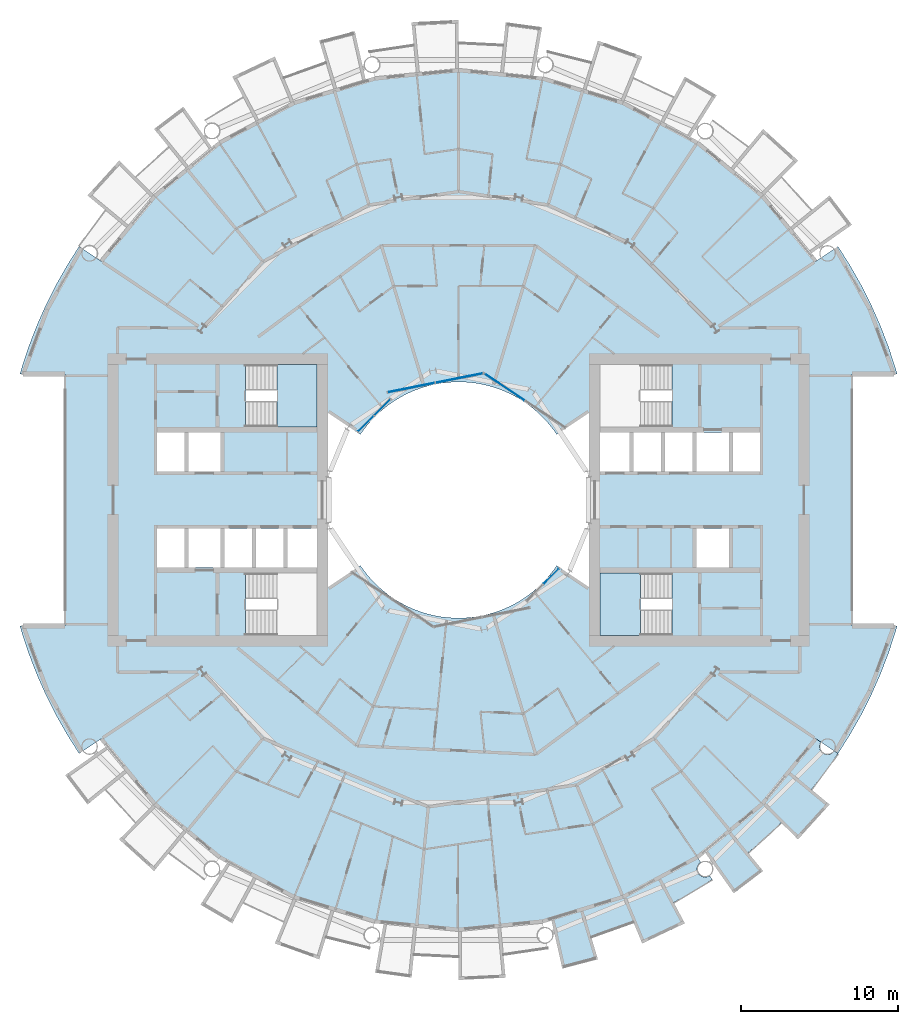
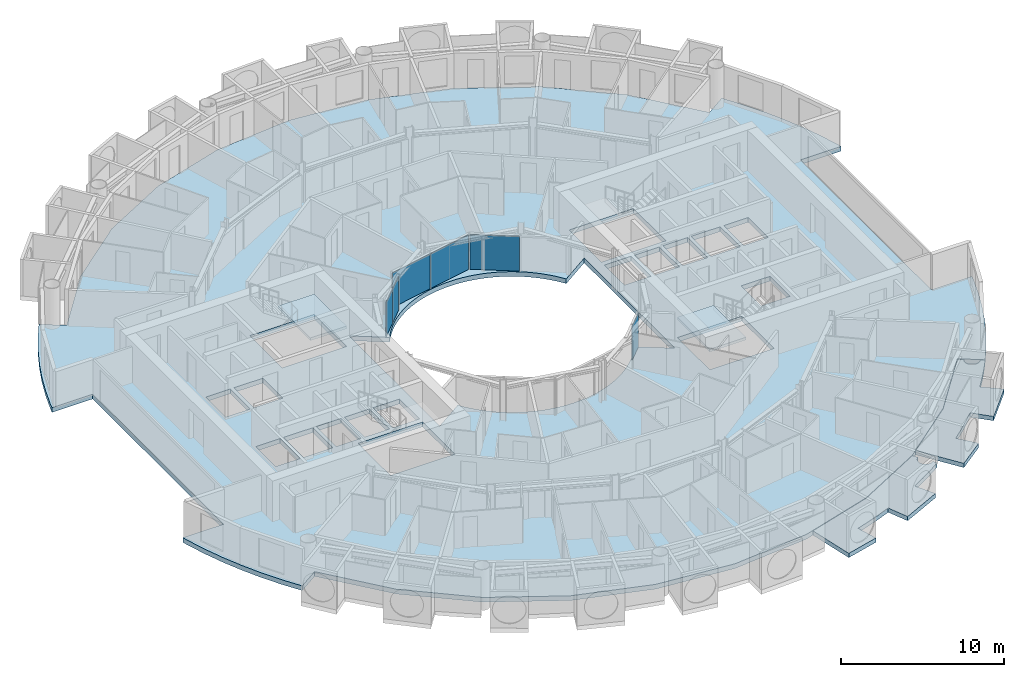
# One storey, part 10 of 26: 6 plates, 5 slabs, 6 elements without a shape of their own.
"""IFC4 building model written with IfcOpenShell, lengths in metres."""

from ifc_helpers import new_model, si_unit, direction, frame, origin, origin_2d, place, context, subcontext, project, spatial, polyline, rectangle, outline, extrude, material, layer, layer_set, type_object, element, aggregate, save


model = new_model("IFC4")

# Units and contexts
model_context = context("Model", 3, precision=1e-05, world=origin(), true_north=direction((0.0, 1.0)))
body_context = subcontext(model_context, "Body", "Model", "MODEL_VIEW")
ifc_project = project(units=[si_unit("LENGTHUNIT", "METRE"), si_unit("AREAUNIT", "SQUARE_METRE"), si_unit("VOLUMEUNIT", "CUBIC_METRE"), si_unit("PLANEANGLEUNIT", "RADIAN"), si_unit("MASSUNIT", "GRAM", prefix="KILO")], contexts=[model_context])

# Site, building, storey
site_placement = place(None, origin())
site = spatial("IfcSite", under=ifc_project, at=site_placement, CompositionType="ELEMENT")
building_placement = place(site_placement, origin())
building = spatial("IfcBuilding", under=site, at=building_placement, Name="Maasbend Ring Residences", CompositionType="ELEMENT")
storey_placement = place(building_placement, frame((0.0, 0.0, 75.800048828125)))
storey = spatial("IfcBuildingStorey", under=building, at=storey_placement, Name="L21", CompositionType="ELEMENT", Elevation=75.800048828125)

# Stair, slab
ifc_material_1 = material(Name="Concrete C40/50", Category="concrete")
stair_type = type_object("IfcStairType", Name="CORE STAIR 18 RISERS", PredefinedType="HALF_TURN_STAIR", material=ifc_material_1)
stair_1_placement = place(storey_placement, origin())
stair_1 = element("IfcStair", 1, at=stair_1_placement, inside=storey, type_object=stair_type, Name="L21 Exit stair ST-E2", PredefinedType="HALF_TURN_STAIR")
ifc_material_2 = material(Name="Concrete C40/50", Category="concrete")
ifc_layer_1 = layer(ifc_material_2, 0.199951171875)
ifc_layer_set_1 = layer_set([ifc_layer_1], Name="Concrete C40/50")
slab_type_1 = type_object("IfcSlabType", Name="CORE STAIR LANDING 200", PredefinedType="LANDING", material=ifc_layer_set_1)
slab_1_placement = place(storey_placement, frame((0.0, 0.0, 1.324951171875)))
slab_1 = element("IfcSlab", 2, at=slab_1_placement, type_object=slab_type_1, Name="ST-E2 landing 1", PredefinedType="LANDING", context=body_context, shape_type="SweptSolid", body=[
    extrude(outline(polyline([(11.550048828125, -4.64990234375), (9.0, -4.64990234375), (9.0, -8.60009765625), (11.550048828125, -8.60009765625), (11.550048828125, -4.64990234375)])), origin(), (0.0, 0.0, 1.0), 0.199951171875),
])
aggregate(stair_1, [slab_1])

stair_2_placement = place(storey_placement, origin())
stair_2 = element("IfcStair", 3, at=stair_2_placement, inside=storey, type_object=stair_type, Name="L21 Exit stair ST-W2", PredefinedType="HALF_TURN_STAIR")
slab_2_placement = place(storey_placement, frame((0.0, 0.0, 1.324951171875)))
slab_2 = element("IfcSlab", 4, at=slab_2_placement, type_object=slab_type_1, Name="ST-W2 landing 1", PredefinedType="LANDING", context=body_context, shape_type="SweptSolid", body=[
    extrude(outline(polyline([(-11.550048828125, 4.64990234375), (-9.0, 4.64990234375), (-9.0, 8.60009765625), (-11.550048828125, 8.60009765625), (-11.550048828125, 4.64990234375)])), origin(), (0.0, 0.0, 1.0), 0.199951171875),
])
aggregate(stair_2, [slab_2])

# Curtain wall, plate
ifc_material_3 = material(Name="Aluminium and clear glass", Category="aluminium")
ifc_layer_2 = layer(ifc_material_3, 0.179931640625)
ifc_layer_set_2 = layer_set([ifc_layer_2], Name="CW-W")
curtain_wall_type = type_object("IfcCurtainWallType", Name="CW-W", PredefinedType="NOTDEFINED", material=ifc_layer_set_2)
curtain_wall_1_placement = place(storey_placement, origin())
curtain_wall_1 = element("IfcCurtainWall", 5, at=curtain_wall_1_placement, inside=storey, type_object=curtain_wall_type, Name="Well curtain wall N1", PredefinedType="NOTDEFINED")
ifc_material_4 = material(Name="Glass clear laminated", Category="glass")
ifc_layer_3 = layer(ifc_material_4, 0.031982421875)
ifc_layer_set_3 = layer_set([ifc_layer_3], Name="CWP-W")
plate_type = type_object("IfcPlateType", Name="CWP-W", PredefinedType="CURTAIN_PANEL", material=ifc_layer_set_3)
plate_1_placement = place(storey_placement, frame((2.922119140625, 7.17578125, 0.0), z_axis=(0.0, 0.0, 1.0), x_axis=(-0.831469612303, 0.55557023302, 0.0)))
plate_1 = element("IfcPlate", 6, at=plate_1_placement, type_object=plate_type, Name="Glass panel well face", PredefinedType="CURTAIN_PANEL", context=body_context, shape_type="SweptSolid", body=[
    extrude(rectangle(XDim=3.053955078125, YDim=0.031982421875, at=origin_2d()), origin(), (0.0, 0.0, 1.0), 2.580078125),
])
aggregate(curtain_wall_1, [plate_1])

# Curtain wall, plates
curtain_wall_2_placement = place(storey_placement, origin())
curtain_wall_2 = element("IfcCurtainWall", 7, at=curtain_wall_2_placement, inside=storey, type_object=curtain_wall_type, Name="Well curtain wall N2", PredefinedType="NOTDEFINED")
plate_2_placement = place(storey_placement, frame((0.04638671875, 7.747802734375, 0.0), z_axis=(0.0, 0.0, 1.0), x_axis=(-0.980785280403, -0.195090322016, 0.0)))
plate_2 = element("IfcPlate", 8, at=plate_2_placement, type_object=plate_type, Name="Glass panel well face", PredefinedType="CURTAIN_PANEL", context=body_context, shape_type="SweptSolid", body=[
    extrude(rectangle(XDim=3.053955078125, YDim=0.031982421875, at=origin_2d()), origin(), (0.0, 0.0, 1.0), 2.580078125),
])
plate_3_placement = place(storey_placement, frame((-3.0078125, 7.140380859375, 0.0), z_axis=(0.0, 0.0, 1.0), x_axis=(-0.980785280403, -0.195090322016, 0.0)))
plate_3 = element("IfcPlate", 9, at=plate_3_placement, type_object=plate_type, Name="Glass panel well face", PredefinedType="CURTAIN_PANEL", context=body_context, shape_type="SweptSolid", body=[
    extrude(rectangle(XDim=3.053955078125, YDim=0.031982421875, at=origin_2d()), origin(), (0.0, 0.0, 1.0), 2.580078125),
])
aggregate(curtain_wall_2, [plate_2, plate_3])

curtain_wall_3_placement = place(storey_placement, origin())
curtain_wall_3 = element("IfcCurtainWall", 10, at=curtain_wall_3_placement, inside=storey, type_object=curtain_wall_type, Name="Well curtain wall N3", PredefinedType="NOTDEFINED")
plate_4_placement = place(storey_placement, frame((-4.84375, 5.89013671875, 0.0), z_axis=(0.0, 0.0, 1.0), x_axis=(-0.707106781187, -0.707106781187, 0.0)))
plate_4 = element("IfcPlate", 11, at=plate_4_placement, type_object=plate_type, Name="Glass panel well face", PredefinedType="CURTAIN_PANEL", context=body_context, shape_type="SweptSolid", body=[
    extrude(rectangle(XDim=1.419677734375, YDim=0.031982421875, at=origin_2d()), origin(), (0.0, 0.0, 1.0), 2.580078125),
])
plate_5_placement = place(storey_placement, frame((-5.89013671875, 4.84375, 0.0), z_axis=(0.0, 0.0, 1.0), x_axis=(-0.707106781187, -0.707106781187, 0.0)))
plate_5 = element("IfcPlate", 12, at=plate_5_placement, type_object=plate_type, Name="Glass panel well face", PredefinedType="CURTAIN_PANEL", context=body_context, shape_type="SweptSolid", body=[
    extrude(rectangle(XDim=1.419677734375, YDim=0.031982421875, at=origin_2d()), origin(), (0.0, 0.0, 1.0), 2.580078125),
])
aggregate(curtain_wall_3, [plate_4, plate_5])

# Curtain wall, plate
curtain_wall_4_placement = place(storey_placement, origin())
curtain_wall_4 = element("IfcCurtainWall", 13, at=curtain_wall_4_placement, inside=storey, type_object=curtain_wall_type, Name="Well curtain wall S3", PredefinedType="NOTDEFINED")
plate_6_placement = place(storey_placement, frame((5.89013671875, -4.84375, 0.0), z_axis=(0.0, 0.0, 1.0), x_axis=(0.707106781187, 0.707106781187, 0.0)))
plate_6 = element("IfcPlate", 14, at=plate_6_placement, type_object=plate_type, Name="Glass panel well face", PredefinedType="CURTAIN_PANEL", context=body_context, shape_type="SweptSolid", body=[
    extrude(rectangle(XDim=1.419677734375, YDim=0.031982421875, at=origin_2d()), origin(), (0.0, 0.0, 1.0), 2.580078125),
])
aggregate(curtain_wall_4, [plate_6])

# Slabs
ifc_material_5 = material(Name="Concrete C40/50", Category="concrete")
ifc_layer_4 = layer(ifc_material_5, 0.35009765625)
ifc_layer_set_4 = layer_set([ifc_layer_4], Name="Concrete C40/50")
slab_type_2 = type_object("IfcSlabType", Name="Post-tensioned flat plate 350", PredefinedType="FLOOR", material=ifc_layer_set_4)
slab_3_placement = place(storey_placement, frame((0.0, 0.0, -0.35009765625)))
element("IfcSlab", 15, at=slab_3_placement, inside=storey, type_object=slab_type_2, Name="Floor slab L21", PredefinedType="FLOOR", context=body_context, shape_type="SweptSolid", body=[
    extrude(outline(polyline([(24.8740234375, -14.908935546875), (25.57568359375, -13.67041015625), (26.2158203125, -12.399169921875), (26.79248046875, -11.097900390625), (27.3046875, -9.769775390625), (27.751220703125, -8.418212890625), (27.866943359375, -8.0), (25.0, -8.0), (25.0, 8.0), (27.866943359375, 8.0), (27.751220703125, 8.418212890625), (27.3046875, 9.769775390625), (26.79248046875, 11.097900390625), (26.2158203125, 12.399169921875), (25.57568359375, 13.67041015625), (24.8740234375, 14.908935546875), (24.112548828125, 16.111572265625), (22.69921875, 15.1669921875), (19.303955078125, 19.303955078125), (15.1669921875, 22.69921875), (10.447265625, 25.221923828125), (5.325927734375, 26.775390625), (0.0, 27.300048828125), (-5.325927734375, 26.775390625), (-10.447265625, 25.221923828125), (-15.1669921875, 22.69921875), (-19.303955078125, 19.303955078125), (-22.69921875, 15.1669921875), (-24.112548828125, 16.111572265625), (-24.8740234375, 14.908935546875), (-25.57568359375, 13.67041015625), (-26.2158203125, 12.399169921875), (-26.79248046875, 11.097900390625), (-27.3046875, 9.769775390625), (-27.751220703125, 8.418212890625), (-27.866943359375, 8.0), (-25.0, 8.0), (-25.0, -8.0), (-27.866943359375, -8.0), (-27.751220703125, -8.418212890625), (-27.3046875, -9.769775390625), (-26.79248046875, -11.097900390625), (-26.2158203125, -12.399169921875), (-25.57568359375, -13.67041015625), (-24.8740234375, -14.908935546875), (-24.112548828125, -16.111572265625), (-22.69921875, -15.1669921875), (-19.303955078125, -19.303955078125), (-15.1669921875, -22.69921875), (-10.447265625, -25.221923828125), (-5.325927734375, -26.775390625), (0.0, -27.300048828125), (5.325927734375, -26.775390625), (10.447265625, -25.221923828125), (15.1669921875, -22.69921875), (19.303955078125, -19.303955078125), (22.69921875, -15.1669921875), (24.112548828125, -16.111572265625), (24.8740234375, -14.908935546875)]), holes=[polyline([(17.425048828125, 4.27490234375), (19.14990234375, 4.27490234375), (19.14990234375, 1.824951171875), (17.425048828125, 1.824951171875), (17.425048828125, 4.27490234375)]), polyline([(15.125, 1.824951171875), (15.125, 4.27490234375), (17.175048828125, 4.27490234375), (17.175048828125, 1.824951171875), (15.125, 1.824951171875)]), polyline([(15.125, -4.27490234375), (15.125, -1.824951171875), (17.175048828125, -1.824951171875), (17.175048828125, -4.27490234375), (15.125, -4.27490234375)]), polyline([(13.125, 1.824951171875), (13.125, 4.27490234375), (14.875, 4.27490234375), (14.875, 1.824951171875), (13.125, 1.824951171875)]), polyline([(13.550048828125, 4.64990234375), (9.0, 4.64990234375), (9.0, 8.60009765625), (13.550048828125, 8.60009765625), (13.550048828125, 4.64990234375)]), polyline([(13.550048828125, -4.64990234375), (13.550048828125, -8.60009765625), (9.0, -8.60009765625), (9.0, -4.64990234375), (13.550048828125, -4.64990234375)]), polyline([(11.125, 1.824951171875), (11.125, 4.27490234375), (12.875, 4.27490234375), (12.875, 1.824951171875), (11.125, 1.824951171875)]), polyline([(9.0, 1.824951171875), (9.0, 4.27490234375), (10.875, 4.27490234375), (10.875, 1.824951171875), (9.0, 1.824951171875)]), polyline([(6.024169921875, 4.4677734375), (6.236083984375, 4.166748046875), (8.300048828125, 5.5458984375), (8.300048828125, -5.5458984375), (6.236083984375, -4.166748046875), (6.024169921875, -4.4677734375), (5.797607421875, -4.7578125), (5.55712890625, -5.03662109375), (5.30322265625, -5.30322265625), (5.03662109375, -5.55712890625), (4.7578125, -5.797607421875), (4.4677734375, -6.024169921875), (4.166748046875, -6.236083984375), (3.855712890625, -6.43310546875), (3.535400390625, -6.614501953125), (3.206787109375, -6.77978515625), (2.8701171875, -6.92919921875), (2.526611328125, -7.0615234375), (2.177001953125, -7.177001953125), (1.822509765625, -7.275146484375), (1.463134765625, -7.35595703125), (1.1005859375, -7.418701171875), (0.735107421875, -7.4638671875), (0.367919921875, -7.490966796875), (0.0, -7.5), (-0.367919921875, -7.490966796875), (-0.735107421875, -7.4638671875), (-1.1005859375, -7.418701171875), (-1.463134765625, -7.35595703125), (-1.822509765625, -7.275146484375), (-2.177001953125, -7.177001953125), (-2.526611328125, -7.0615234375), (-2.8701171875, -6.92919921875), (-3.206787109375, -6.77978515625), (-3.535400390625, -6.614501953125), (-3.855712890625, -6.43310546875), (-4.166748046875, -6.236083984375), (-4.4677734375, -6.024169921875), (-4.7578125, -5.797607421875), (-5.03662109375, -5.55712890625), (-5.30322265625, -5.30322265625), (-5.55712890625, -5.03662109375), (-5.797607421875, -4.7578125), (-6.024169921875, -4.4677734375), (-6.236083984375, -4.166748046875), (-8.300048828125, -5.5458984375), (-8.300048828125, 5.5458984375), (-6.236083984375, 4.166748046875), (-6.236083984375, 4.166748046875), (-6.024169921875, 4.4677734375), (-5.797607421875, 4.7578125), (-5.55712890625, 5.03662109375), (-5.30322265625, 5.30322265625), (-5.03662109375, 5.55712890625), (-4.7578125, 5.797607421875), (-4.4677734375, 6.024169921875), (-4.166748046875, 6.236083984375), (-3.855712890625, 6.43310546875), (-3.535400390625, 6.614501953125), (-3.206787109375, 6.77978515625), (-2.8701171875, 6.92919921875), (-2.526611328125, 7.0615234375), (-2.177001953125, 7.177001953125), (-1.822509765625, 7.275146484375), (-1.463134765625, 7.35595703125), (-1.1005859375, 7.418701171875), (-0.735107421875, 7.4638671875), (-0.367919921875, 7.490966796875), (0.0, 7.5), (0.367919921875, 7.490966796875), (0.735107421875, 7.4638671875), (1.1005859375, 7.418701171875), (1.463134765625, 7.35595703125), (1.822509765625, 7.275146484375), (2.177001953125, 7.177001953125), (2.526611328125, 7.0615234375), (2.8701171875, 6.92919921875), (3.206787109375, 6.77978515625), (3.535400390625, 6.614501953125), (3.855712890625, 6.43310546875), (4.166748046875, 6.236083984375), (4.4677734375, 6.024169921875), (4.7578125, 5.797607421875), (5.03662109375, 5.55712890625), (5.30322265625, 5.30322265625), (5.55712890625, 5.03662109375), (5.797607421875, 4.7578125), (6.024169921875, 4.4677734375)]), polyline([(-13.550048828125, 4.64990234375), (-13.550048828125, 8.60009765625), (-9.0, 8.60009765625), (-9.0, 4.64990234375), (-13.550048828125, 4.64990234375)]), polyline([(-13.550048828125, -8.60009765625), (-13.550048828125, -4.64990234375), (-9.0, -4.64990234375), (-9.0, -8.60009765625), (-13.550048828125, -8.60009765625)]), polyline([(-9.0, -1.824951171875), (-9.0, -4.27490234375), (-10.875, -4.27490234375), (-10.875, -1.824951171875), (-9.0, -1.824951171875)]), polyline([(-11.125, -1.824951171875), (-11.125, -4.27490234375), (-12.875, -4.27490234375), (-12.875, -1.824951171875), (-11.125, -1.824951171875)]), polyline([(-13.125, -1.824951171875), (-13.125, -4.27490234375), (-14.875, -4.27490234375), (-14.875, -1.824951171875), (-13.125, -1.824951171875)]), polyline([(-15.125, 4.27490234375), (-15.125, 1.824951171875), (-17.175048828125, 1.824951171875), (-17.175048828125, 4.27490234375), (-15.125, 4.27490234375)]), polyline([(-15.125, -1.824951171875), (-15.125, -4.27490234375), (-17.175048828125, -4.27490234375), (-17.175048828125, -1.824951171875), (-15.125, -1.824951171875)]), polyline([(-17.425048828125, -1.824951171875), (-17.425048828125, -4.27490234375), (-19.14990234375, -4.27490234375), (-19.14990234375, -1.824951171875), (-17.425048828125, -1.824951171875)]), polyline([(-17.425048828125, 4.27490234375), (-17.425048828125, 1.824951171875), (-19.14990234375, 1.824951171875), (-19.14990234375, 4.27490234375), (-17.425048828125, 4.27490234375)])]), origin(), (0.0, 0.0, 1.0), 0.35009765625),
])
ifc_material_6 = material(Name="Concrete C40/50", Category="concrete")
ifc_layer_5 = layer(ifc_material_6, 0.199951171875)
ifc_layer_set_5 = layer_set([ifc_layer_5], Name="Concrete C40/50")
slab_type_3 = type_object("IfcSlabType", Name="SL-LOGGIA", PredefinedType="FLOOR", material=ifc_layer_set_5)
slab_4_placement = place(storey_placement, frame((0.0, 0.0, -0.35009765625)))
element("IfcSlab", 16, at=slab_4_placement, inside=storey, type_object=slab_type_3, Name="Loggia floor 1", PredefinedType="FLOOR", context=body_context, shape_type="SweptSolid", body=[
    extrude(outline(polyline([(10.447021484375, -25.221923828125), (12.806884765625, -23.9609375), (15.1669921875, -22.698974609375), (15.1669921875, -22.698974609375), (15.1669921875, -22.698974609375), (15.385009765625, -23.02490234375), (15.375, -23.031982421875), (15.364013671875, -23.0390625), (15.35498046875, -23.047119140625), (15.344970703125, -23.054931640625), (15.3349609375, -23.06298828125), (15.325927734375, -23.071044921875), (15.31689453125, -23.0791015625), (15.30810546875, -23.087890625), (15.299072265625, -23.096923828125), (15.291015625, -23.10595703125), (15.281982421875, -23.115966796875), (15.27392578125, -23.125), (15.26708984375, -23.135009765625), (15.259033203125, -23.14501953125), (15.251953125, -23.155029296875), (15.2451171875, -23.1650390625), (15.238037109375, -23.176025390625), (15.23095703125, -23.18603515625), (15.22509765625, -23.197021484375), (15.218994140625, -23.2080078125), (15.212890625, -23.218994140625), (15.2080078125, -23.22998046875), (15.202880859375, -23.241943359375), (15.197998046875, -23.2529296875), (15.193115234375, -23.264892578125), (15.18896484375, -23.27587890625), (15.18505859375, -23.2880859375), (15.180908203125, -23.300048828125), (15.177978515625, -23.31201171875), (15.174072265625, -23.323974609375), (15.1708984375, -23.3359375), (15.1689453125, -23.347900390625), (15.1669921875, -23.361083984375), (15.1650390625, -23.373046875), (15.1630859375, -23.385009765625), (15.162109375, -23.39794921875), (15.159912109375, -23.409912109375), (15.159912109375, -23.422119140625), (15.158935546875, -23.43505859375), (15.158935546875, -23.447021484375), (15.158935546875, -23.4599609375), (15.159912109375, -23.471923828125), (15.159912109375, -23.485107421875), (15.162109375, -23.4970703125), (15.1630859375, -23.510009765625), (15.1650390625, -23.52197265625), (15.1669921875, -23.533935546875), (15.1689453125, -23.547119140625), (15.1708984375, -23.55908203125), (15.174072265625, -23.571044921875), (15.177978515625, -23.5830078125), (15.180908203125, -23.594970703125), (15.18505859375, -23.60693359375), (15.18896484375, -23.618896484375), (15.193115234375, -23.6298828125), (15.197998046875, -23.64208984375), (15.202880859375, -23.653076171875), (15.2080078125, -23.6650390625), (15.212890625, -23.676025390625), (15.218994140625, -23.68701171875), (15.22509765625, -23.697998046875), (15.23095703125, -23.708984375), (15.238037109375, -23.718994140625), (15.2451171875, -23.72998046875), (15.251953125, -23.739990234375), (15.259033203125, -23.75), (15.26708984375, -23.760009765625), (15.27392578125, -23.77001953125), (15.281982421875, -23.779052734375), (15.291015625, -23.7890625), (15.299072265625, -23.798095703125), (15.30810546875, -23.806884765625), (15.31689453125, -23.81494140625), (15.325927734375, -23.823974609375), (15.3349609375, -23.83203125), (15.344970703125, -23.840087890625), (15.35498046875, -23.847900390625), (15.364013671875, -23.85498046875), (15.375, -23.863037109375), (15.385009765625, -23.8701171875), (15.39501953125, -23.876953125), (15.406005859375, -23.883056640625), (15.4169921875, -23.888916015625), (15.427978515625, -23.89501953125), (15.43896484375, -23.90087890625), (15.449951171875, -23.906982421875), (15.4609375, -23.912109375), (15.472900390625, -23.9169921875), (15.48388671875, -23.9208984375), (15.49609375, -23.926025390625), (15.508056640625, -23.929931640625), (15.52001953125, -23.93408203125), (15.531982421875, -23.93701171875), (15.5439453125, -23.93994140625), (15.555908203125, -23.943115234375), (15.568115234375, -23.946044921875), (15.580078125, -23.947998046875), (15.593017578125, -23.949951171875), (15.60498046875, -23.951904296875), (15.616943359375, -23.952880859375), (15.6298828125, -23.9541015625), (15.64208984375, -23.955078125), (15.655029296875, -23.955078125), (15.6669921875, -23.955078125), (15.679931640625, -23.955078125), (15.69189453125, -23.955078125), (15.7041015625, -23.9541015625), (15.717041015625, -23.952880859375), (15.72900390625, -23.951904296875), (15.741943359375, -23.949951171875), (15.75390625, -23.947998046875), (15.76611328125, -23.946044921875), (15.778076171875, -23.943115234375), (15.791015625, -23.93994140625), (15.802978515625, -23.93701171875), (15.81494140625, -23.93408203125), (15.825927734375, -23.929931640625), (15.837890625, -23.926025390625), (15.85009765625, -23.9208984375), (15.862060546875, -23.9169921875), (15.873046875, -23.912109375), (15.884033203125, -23.906982421875), (15.89599609375, -23.90087890625), (15.906982421875, -23.89501953125), (15.9169921875, -23.888916015625), (15.927978515625, -23.883056640625), (15.93896484375, -23.876953125), (15.948974609375, -23.8701171875), (16.112060546875, -24.113037109375), (16.112060546875, -24.113037109375), (16.112060546875, -24.113037109375), (15.31396484375, -24.626953125), (15.31396484375, -24.626953125), (14.5, -25.114990234375), (14.5, -25.114990234375), (13.6708984375, -25.574951171875), (13.6708984375, -25.575927734375), (13.6708984375, -25.575927734375), (13.6708984375, -25.575927734375), (13.6708984375, -25.575927734375), (13.6708984375, -25.575927734375), (13.6708984375, -25.575927734375), (13.6708984375, -25.575927734375), (13.6708984375, -25.575927734375), (13.6708984375, -25.575927734375), (13.6708984375, -25.575927734375), (13.6708984375, -25.575927734375), (13.6708984375, -25.575927734375), (13.6708984375, -25.575927734375), (13.6708984375, -25.575927734375), (13.6708984375, -25.575927734375), (13.6708984375, -25.575927734375), (14.3779296875, -26.89892578125), (14.3779296875, -26.89892578125), (14.3779296875, -26.89892578125), (11.672119140625, -28.177978515625), (11.672119140625, -28.177978515625), (11.672119140625, -28.177978515625), (11.097900390625, -26.79296875), (11.097900390625, -26.79296875), (11.097900390625, -26.79296875), (11.097900390625, -26.79296875), (11.097900390625, -26.79296875), (11.097900390625, -26.79296875), (11.097900390625, -26.79296875), (11.097900390625, -26.79296875), (11.097900390625, -26.79296875), (11.097900390625, -26.79296875), (11.097900390625, -26.79296875), (11.097900390625, -26.79296875), (11.097900390625, -26.79296875), (11.097900390625, -26.79296875), (11.096923828125, -26.79296875), (11.096923828125, -26.79296875), (11.096923828125, -26.79296875), (10.215087890625, -27.14111328125), (10.215087890625, -27.14111328125), (9.322021484375, -27.4609375), (9.322021484375, -27.4609375), (8.4189453125, -27.7509765625), (8.4189453125, -27.7509765625), (8.4189453125, -27.7509765625), (8.4189453125, -27.7509765625), (8.4189453125, -27.7509765625), (8.4189453125, -27.7509765625), (8.41796875, -27.7509765625), (8.41796875, -27.7509765625), (8.41796875, -27.7509765625), (8.41796875, -27.7509765625), (8.41796875, -27.7509765625), (8.41796875, -27.751953125), (8.41796875, -27.751953125), (8.41796875, -27.751953125), (8.41796875, -27.751953125), (8.41796875, -27.751953125), (8.41796875, -27.751953125), (8.85400390625, -29.18701171875), (8.85400390625, -29.18701171875), (8.85400390625, -29.18701171875), (6.593994140625, -29.779052734375), (6.593994140625, -29.779052734375), (6.593994140625, -29.779052734375), (5.89111328125, -26.60400390625), (5.89111328125, -26.60400390625), (5.89111328125, -26.60400390625), (7.886962890625, -25.9990234375), (10.447021484375, -25.221923828125), (10.447021484375, -25.221923828125), (10.447021484375, -25.221923828125)])), origin(), (0.0, 0.0, 1.0), 0.320068359375),
])
slab_5_placement = place(storey_placement, frame((0.0, 0.0, -0.35009765625)))
element("IfcSlab", 17, at=slab_5_placement, inside=storey, type_object=slab_type_3, Name="Loggia floor 4", PredefinedType="FLOOR", context=body_context, shape_type="SweptSolid", body=[
    extrude(outline(polyline([(19.303955078125, -19.303955078125), (21.001953125, -17.236083984375), (22.698974609375, -15.1669921875), (22.698974609375, -15.1669921875), (22.698974609375, -15.1669921875), (23.02490234375, -15.385009765625), (23.02490234375, -15.385009765625), (23.01806640625, -15.39501953125), (23.011962890625, -15.406005859375), (23.0048828125, -15.4169921875), (22.9990234375, -15.427978515625), (22.993896484375, -15.43896484375), (22.988037109375, -15.449951171875), (22.98291015625, -15.4609375), (22.97802734375, -15.472900390625), (22.972900390625, -15.48388671875), (22.968994140625, -15.49609375), (22.965087890625, -15.508056640625), (22.9609375, -15.52001953125), (22.9580078125, -15.531982421875), (22.955078125, -15.5439453125), (22.951904296875, -15.555908203125), (22.948974609375, -15.568115234375), (22.947021484375, -15.580078125), (22.945068359375, -15.593017578125), (22.943115234375, -15.60498046875), (22.94189453125, -15.616943359375), (22.94091796875, -15.6298828125), (22.93994140625, -15.64208984375), (22.93994140625, -15.655029296875), (22.93896484375, -15.6669921875), (22.93994140625, -15.679931640625), (22.93994140625, -15.69189453125), (22.94091796875, -15.7041015625), (22.94189453125, -15.717041015625), (22.943115234375, -15.72900390625), (22.945068359375, -15.741943359375), (22.947021484375, -15.75390625), (22.948974609375, -15.76611328125), (22.951904296875, -15.778076171875), (22.955078125, -15.791015625), (22.9580078125, -15.802978515625), (22.9609375, -15.81494140625), (22.965087890625, -15.825927734375), (22.968994140625, -15.837890625), (22.972900390625, -15.85009765625), (22.97802734375, -15.862060546875), (22.98291015625, -15.873046875), (22.988037109375, -15.884033203125), (22.993896484375, -15.89599609375), (22.9990234375, -15.906982421875), (23.0048828125, -15.9169921875), (23.011962890625, -15.927978515625), (23.01806640625, -15.93896484375), (23.02490234375, -15.948974609375), (23.031982421875, -15.9599609375), (23.0390625, -15.969970703125), (23.047119140625, -15.97998046875), (23.054931640625, -15.989013671875), (23.06298828125, -15.9990234375), (23.071044921875, -16.008056640625), (23.0791015625, -16.01708984375), (23.087890625, -16.02587890625), (23.096923828125, -16.034912109375), (23.10595703125, -16.0439453125), (23.115966796875, -16.052001953125), (23.125, -16.06005859375), (23.135009765625, -16.068115234375), (23.14501953125, -16.074951171875), (23.155029296875, -16.08203125), (23.1650390625, -16.089111328125), (23.176025390625, -16.095947265625), (23.18603515625, -16.10302734375), (23.197021484375, -16.10888671875), (23.2080078125, -16.114990234375), (23.218994140625, -16.12109375), (23.22998046875, -16.1259765625), (23.241943359375, -16.132080078125), (23.2529296875, -16.135986328125), (23.264892578125, -16.14111328125), (23.27587890625, -16.14501953125), (23.2880859375, -16.14892578125), (23.300048828125, -16.153076171875), (23.31201171875, -16.156982421875), (23.323974609375, -16.159912109375), (23.3359375, -16.1630859375), (23.347900390625, -16.1650390625), (23.361083984375, -16.16796875), (23.373046875, -16.169921875), (23.385009765625, -16.1708984375), (23.39794921875, -16.173095703125), (23.409912109375, -16.174072265625), (23.422119140625, -16.174072265625), (23.43505859375, -16.175048828125), (23.447021484375, -16.175048828125), (23.4599609375, -16.175048828125), (23.471923828125, -16.174072265625), (23.485107421875, -16.174072265625), (23.4970703125, -16.173095703125), (23.510009765625, -16.1708984375), (23.52197265625, -16.169921875), (23.533935546875, -16.16796875), (23.547119140625, -16.1650390625), (23.55908203125, -16.1630859375), (23.571044921875, -16.159912109375), (23.5830078125, -16.156982421875), (23.594970703125, -16.153076171875), (23.60693359375, -16.14892578125), (23.618896484375, -16.14501953125), (23.6298828125, -16.14111328125), (23.64208984375, -16.135986328125), (23.653076171875, -16.132080078125), (23.6650390625, -16.1259765625), (23.676025390625, -16.12109375), (23.68701171875, -16.114990234375), (23.697998046875, -16.10888671875), (23.708984375, -16.10302734375), (23.718994140625, -16.095947265625), (23.72998046875, -16.089111328125), (23.739990234375, -16.08203125), (23.75, -16.074951171875), (23.760009765625, -16.068115234375), (23.77001953125, -16.06005859375), (23.779052734375, -16.052001953125), (23.7890625, -16.0439453125), (23.798095703125, -16.034912109375), (23.806884765625, -16.02587890625), (23.81494140625, -16.01708984375), (23.823974609375, -16.008056640625), (23.83203125, -15.9990234375), (23.840087890625, -15.989013671875), (23.847900390625, -15.97998046875), (23.85498046875, -15.969970703125), (23.863037109375, -15.9599609375), (23.8701171875, -15.948974609375), (23.8701171875, -15.948974609375), (24.113037109375, -16.112060546875), (24.113037109375, -16.112060546875), (24.113037109375, -16.112060546875), (23.572998046875, -16.89208984375), (23.572998046875, -16.89208984375), (23.007080078125, -17.654052734375), (23.007080078125, -17.654052734375), (22.41796875, -18.39697265625), (22.41796875, -18.39697265625), (22.41796875, -18.39697265625), (22.41796875, -18.39697265625), (22.41796875, -18.39697265625), (22.41796875, -18.39697265625), (22.41796875, -18.39697265625), (22.41796875, -18.39697265625), (22.41796875, -18.39697265625), (22.41796875, -18.39697265625), (22.41796875, -18.39697265625), (22.41796875, -18.39794921875), (22.41796875, -18.39794921875), (22.41796875, -18.39794921875), (22.41796875, -18.39794921875), (22.41796875, -18.39794921875), (22.41796875, -18.39794921875), (23.576904296875, -19.34912109375), (23.576904296875, -19.34912109375), (23.576904296875, -19.34912109375), (21.56689453125, -21.56689453125), (21.56689453125, -21.56689453125), (21.56689453125, -21.56689453125), (20.506103515625, -20.506103515625), (20.506103515625, -20.506103515625), (20.506103515625, -20.506103515625), (20.506103515625, -20.506103515625), (20.506103515625, -20.506103515625), (20.506103515625, -20.506103515625), (20.506103515625, -20.506103515625), (20.506103515625, -20.506103515625), (20.506103515625, -20.506103515625), (20.506103515625, -20.506103515625), (20.506103515625, -20.506103515625), (20.506103515625, -20.506103515625), (20.506103515625, -20.506103515625), (20.506103515625, -20.506103515625), (20.506103515625, -20.506103515625), (20.506103515625, -20.506103515625), (20.506103515625, -20.506103515625), (19.823974609375, -21.166015625), (19.823974609375, -21.166015625), (19.12109375, -21.802978515625), (19.12109375, -21.802978515625), (18.39794921875, -22.4169921875), (18.39794921875, -22.4169921875), (18.39794921875, -22.4169921875), (18.39794921875, -22.4169921875), (18.39794921875, -22.4169921875), (18.39794921875, -22.4169921875), (18.39794921875, -22.4169921875), (18.39794921875, -22.4169921875), (18.39794921875, -22.4169921875), (18.39794921875, -22.4169921875), (18.39794921875, -22.4169921875), (18.39794921875, -22.4169921875), (18.39794921875, -22.41796875), (18.39794921875, -22.41796875), (18.39794921875, -22.41796875), (18.39794921875, -22.41796875), (18.39794921875, -22.41796875), (19.34912109375, -23.576904296875), (19.34912109375, -23.576904296875), (19.34912109375, -23.576904296875), (17.488037109375, -24.989013671875), (17.488037109375, -24.989013671875), (17.488037109375, -24.989013671875), (15.623046875, -22.324951171875), (15.623046875, -22.324951171875), (15.623046875, -22.324951171875), (17.236083984375, -21.001953125), (19.303955078125, -19.303955078125), (19.303955078125, -19.303955078125), (19.303955078125, -19.303955078125)])), origin(), (0.0, 0.0, 1.0), 0.320068359375),
])

save(model, "model.ifc")
